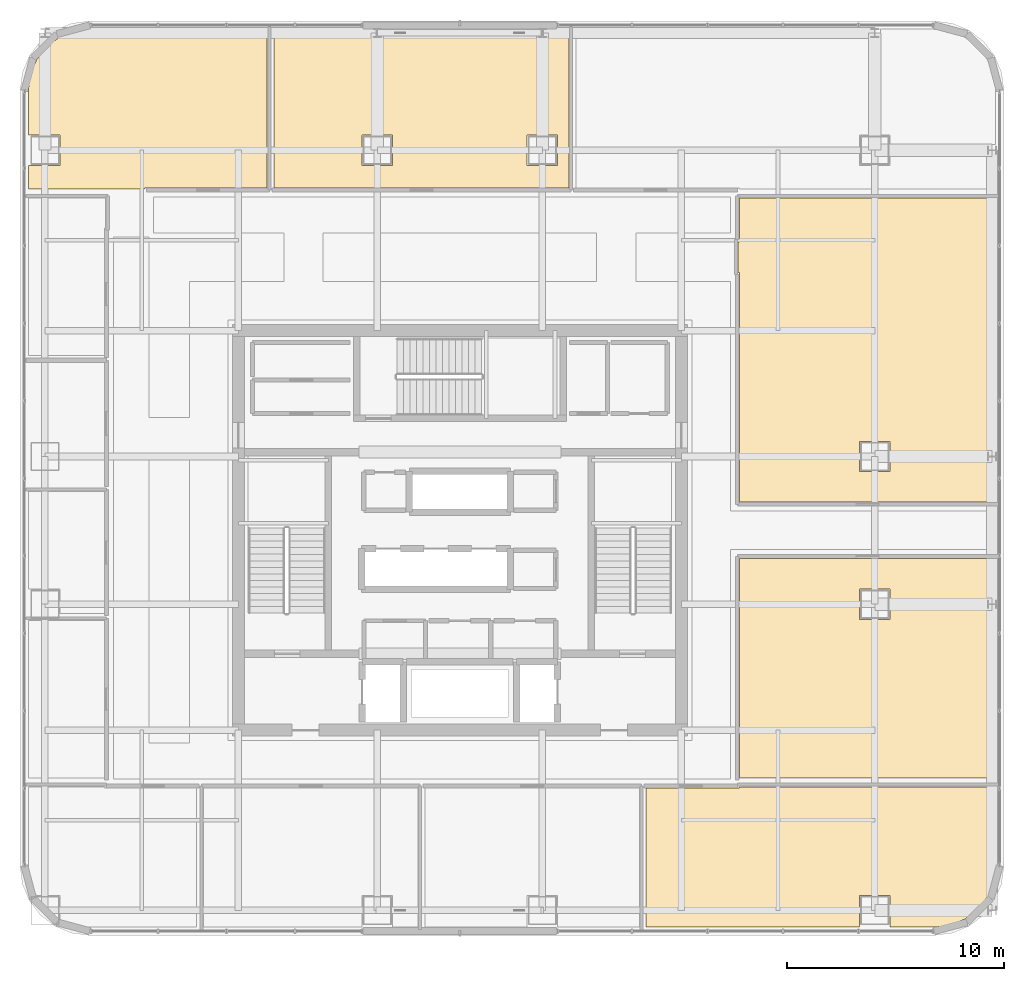
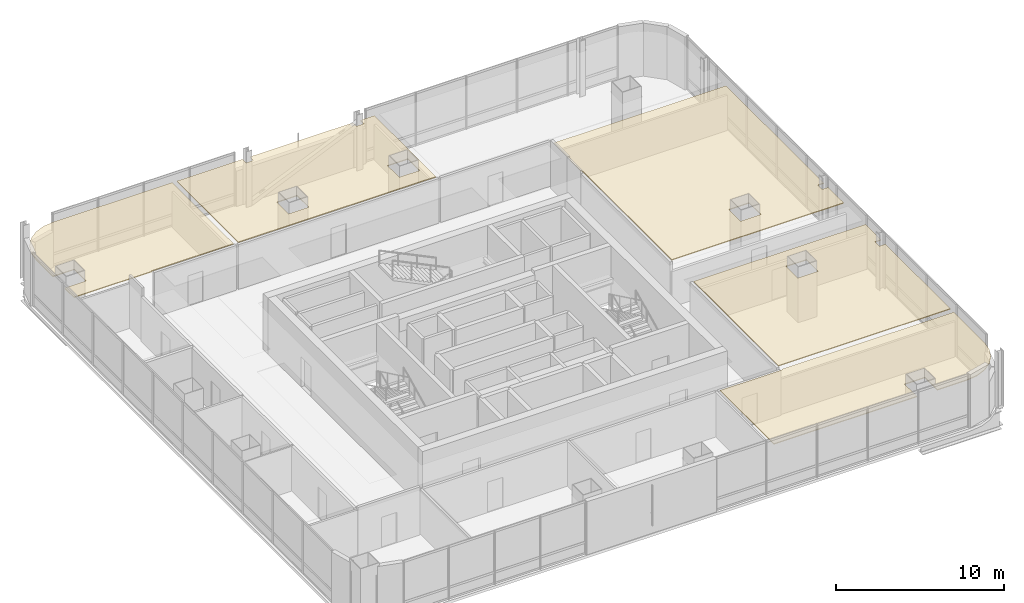
# One storey, part 42 of 44: 5 coverings.
"""IFC4 building model written with IfcOpenShell, lengths in metres."""

from ifc_helpers import new_model, si_unit, direction, frame, origin, place, context, subcontext, project, spatial, polyline, outline, extrude, material, layer, layer_set, type_object, element, save


model = new_model("IFC4")

# Units and contexts
model_context = context("Model", 3, precision=1e-05, world=origin(), true_north=direction((0.0, 1.0)))
body_context = subcontext(model_context, "Body", "Model", "MODEL_VIEW")
ifc_project = project(units=[si_unit("LENGTHUNIT", "METRE"), si_unit("AREAUNIT", "SQUARE_METRE"), si_unit("VOLUMEUNIT", "CUBIC_METRE"), si_unit("PLANEANGLEUNIT", "RADIAN"), si_unit("MASSUNIT", "GRAM", prefix="KILO")], contexts=[model_context])

# Site, building, storey
site_placement = place(None, origin())
site = spatial("IfcSite", under=ifc_project, at=site_placement, CompositionType="ELEMENT")
building_placement = place(site_placement, origin())
building = spatial("IfcBuilding", under=site, at=building_placement, Name="Punatoya Terracotta Tower", CompositionType="ELEMENT")
storey_placement = place(building_placement, frame((0.0, 0.0, 267.60009765625)))
storey = spatial("IfcBuildingStorey", under=building, at=storey_placement, Name="L63", CompositionType="ELEMENT", Elevation=267.60009765625)

# Coverings
ifc_material = material(Name="Acoustic Mineral Fibre Ceiling")
ifc_layer = layer(ifc_material, 0.06005859375)
ifc_layer_set = layer_set([ifc_layer], Name="Acoustic Mineral Fibre Ceiling")
covering_type = type_object("IfcCoveringType", Name="COV-CEIL-60", PredefinedType="CEILING", material=ifc_layer_set)
covering_1_placement = place(storey_placement, frame((0.0, 0.0, 3.239990234375)))
element("IfcCovering", 1, at=covering_1_placement, inside=storey, type_object=covering_type, Name="L63 Open-Plan Environmental Research Laboratory Acoustic Ceiling", PredefinedType="CEILING", context=body_context, shape_type="SweptSolid", body=[
    extrude(outline(polyline([(12.8701171875, -11.8701171875), (8.5791015625, -11.8701171875), (8.5791015625, -18.27001953125), (18.39990234375, -18.27001953125), (18.39990234375, -16.800048828125), (19.800048828125, -16.800048828125), (19.800048828125, -18.27001953125), (21.8251953125, -18.27001953125), (22.5791015625, -18.1708984375), (23.25830078125, -17.889404296875), (23.841796875, -17.441650390625), (24.289306640625, -16.8583984375), (24.57080078125, -16.178955078125), (24.669921875, -15.425048828125), (24.669921875, -11.81005859375), (12.8701171875, -11.81005859375), (12.8701171875, -11.8701171875)])), origin(), (0.0, 0.0, 1.0), 0.059814453125),
])
covering_2_placement = place(storey_placement, frame((0.0, 0.0, 3.239990234375)))
element("IfcCovering", 2, at=covering_2_placement, inside=storey, type_object=covering_type, Name="L63 Open-Plan Laboratory Staff Pantry Acoustic Ceiling", PredefinedType="CEILING", context=body_context, shape_type="SweptSolid", body=[
    extrude(outline(polyline([(24.2470703125, -3.657958984375), (24.2470703125, -3.14208984375), (24.669921875, -3.14208984375), (24.669921875, -1.300048828125), (12.8701171875, -1.300048828125), (12.8701171875, -11.389892578125), (24.669921875, -11.389892578125), (24.669921875, -3.657958984375), (24.2470703125, -3.657958984375)]), holes=[polyline([(18.39990234375, -4.10009765625), (18.39990234375, -2.699951171875), (19.800048828125, -2.699951171875), (19.800048828125, -4.10009765625), (18.39990234375, -4.10009765625)])]), origin(), (0.0, 0.0, 1.0), 0.059814453125),
])
covering_3_placement = place(storey_placement, frame((0.0, 0.0, 3.239990234375)))
element("IfcCovering", 3, at=covering_3_placement, inside=storey, type_object=covering_type, Name="L63 Hydrology Modelling Laboratory Acoustic Ceiling", PredefinedType="CEILING", context=body_context, shape_type="SweptSolid", body=[
    extrude(outline(polyline([(12.81005859375, 11.8701171875), (12.8701171875, 11.8701171875), (12.8701171875, 1.300048828125), (24.669921875, 1.300048828125), (24.669921875, 3.14208984375), (24.2470703125, 3.14208984375), (24.2470703125, 3.657958984375), (24.669921875, 3.657958984375), (24.669921875, 15.2900390625), (12.8701171875, 15.2900390625), (12.8701171875, 13.280029296875), (12.81005859375, 13.280029296875), (12.81005859375, 11.8701171875)]), holes=[polyline([(18.39990234375, 4.10009765625), (19.800048828125, 4.10009765625), (19.800048828125, 2.699951171875), (18.39990234375, 2.699951171875), (18.39990234375, 4.10009765625)])]), origin(), (0.0, 0.0, 1.0), 0.059814453125),
])
covering_4_placement = place(storey_placement, frame((0.0, 0.0, 3.239990234375)))
element("IfcCovering", 4, at=covering_4_placement, inside=storey, type_object=covering_type, Name="L63 Open-Plan Computational Simulation Laboratory Acoustic Ceiling", PredefinedType="CEILING", context=body_context, shape_type="SweptSolid", body=[
    extrude(outline(polyline([(-19.8701171875, 16.800048828125), (-19.8701171875, 15.7099609375), (-14.52001953125, 15.7099609375), (-14.52001953125, 15.77001953125), (-8.8720703125, 15.77001953125), (-8.8720703125, 23.070068359375), (-17.025146484375, 23.070068359375), (-17.779052734375, 22.970703125), (-18.458251953125, 22.689453125), (-19.041748046875, 22.24169921875), (-19.489501953125, 21.658203125), (-19.770751953125, 20.97900390625), (-19.8701171875, 20.22509765625), (-19.8701171875, 18.199951171875), (-18.39990234375, 18.199951171875), (-18.39990234375, 16.800048828125), (-19.8701171875, 16.800048828125)])), origin(), (0.0, 0.0, 1.0), 0.059814453125),
])
covering_5_placement = place(storey_placement, frame((0.0, 0.0, 3.239990234375)))
element("IfcCovering", 5, at=covering_5_placement, inside=storey, type_object=covering_type, Name="L63 Open-Plan Cartography Reference Library Acoustic Ceiling", PredefinedType="CEILING", context=body_context, shape_type="SweptSolid", body=[
    extrude(outline(polyline([(3.547119140625, 23.070068359375), (-3.547119140625, 23.070068359375), (-3.547119140625, 22.64208984375), (-4.052978515625, 22.64208984375), (-4.052978515625, 23.070068359375), (-8.552001953125, 23.070068359375), (-8.552001953125, 15.77001953125), (5.01806640625, 15.77001953125), (5.01806640625, 23.070068359375), (4.052978515625, 23.070068359375), (4.052978515625, 22.64208984375), (3.547119140625, 22.64208984375), (3.547119140625, 23.070068359375)]), holes=[polyline([(4.5, 16.800048828125), (3.10009765625, 16.800048828125), (3.10009765625, 18.199951171875), (4.5, 18.199951171875), (4.5, 16.800048828125)]), polyline([(-4.5, 16.800048828125), (-4.5, 18.199951171875), (-3.10009765625, 18.199951171875), (-3.10009765625, 16.800048828125), (-4.5, 16.800048828125)])]), origin(), (0.0, 0.0, 1.0), 0.059814453125),
])

save(model, "model.ifc")
